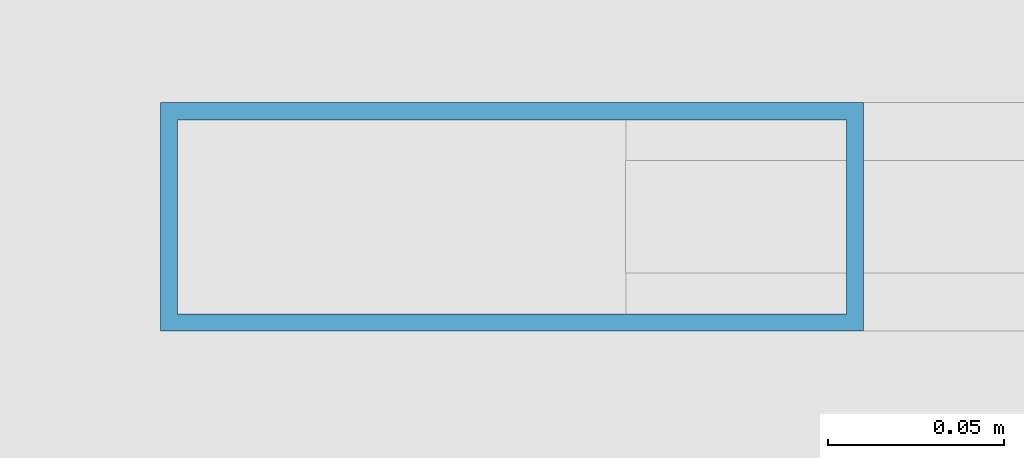
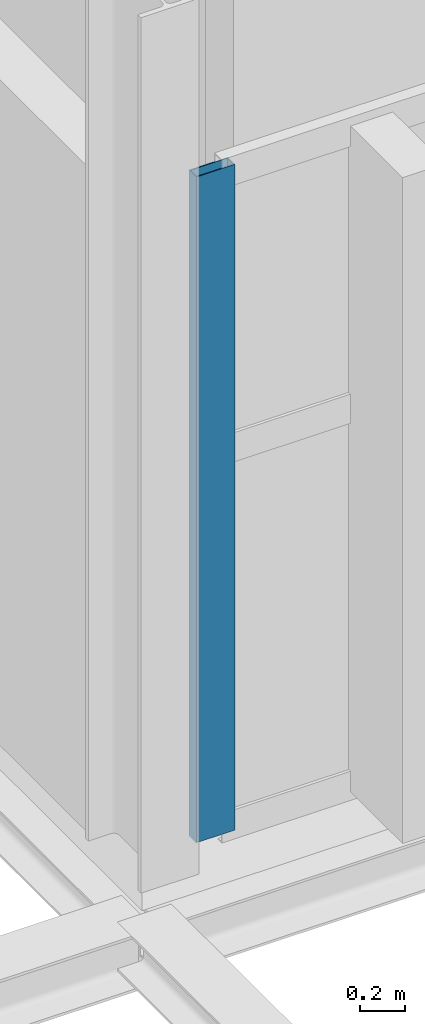
# One storey, part 22 of 196: 1 member, 1 element without a shape of its own.
"""IFC4 building model written with IfcOpenShell, lengths in metres."""

import ifcopenshell
import ifcopenshell.guid

model = None  # the IFC model being written
_history = None  # IfcOwnerHistory: only IFC2X3 demands one
_inside = {}  # id of a spatial element -> (the spatial element, [elements in it])
_under = {}  # id of a project, library or spatial element -> (it, [spatial elements below it])
_declared = {}  # id of a project -> (the project, [libraries it declares])
_typed = {}  # id of a type object -> (the type object, [elements of that type])
_made_of = {}  # id of a material, layer set ... -> (it, [elements and type objects made of it])


def new_model(schema):
    """Start an empty IFC model of exactly this schema.

    Asked for "IFC4X3", IfcOpenShell would pick the latest addendum, in which some entities
    have other attributes; the version numbers below select the first issue.
    IFC2X3 requires an IfcOwnerHistory on every rooted entity: one is made here for all.
    """
    global model, _history
    if schema == "IFC4X3":
        model = ifcopenshell.file(schema_version=(4, 3, 0, 0))
    else:
        model = ifcopenshell.file(schema=schema)
    _inside.clear()
    _under.clear()
    _declared.clear()
    _typed.clear()
    _made_of.clear()
    _history = None
    if model.schema == "IFC2X3":
        org = make("IfcOrganization", Name="unknown")
        user = make(
            "IfcPersonAndOrganization",
            ThePerson=make("IfcPerson", FamilyName="unknown"),
            TheOrganization=org,
        )
        app = make(
            "IfcApplication",
            ApplicationDeveloper=org,
            Version="unknown",
            ApplicationFullName="unknown",
            ApplicationIdentifier="unknown",
        )
        _history = make(
            "IfcOwnerHistory",
            OwningUser=user,
            OwningApplication=app,
            ChangeAction="ADDED",
            CreationDate=0,
        )
    return model


def make(cls, **values):
    """One entity of the class cls with the attributes given. An attribute that is None is left unset."""
    return model.create_entity(
        cls, **{name: value for name, value in values.items() if value is not None}
    )


def rooted(cls, **values):
    """An entity with a GlobalId (a new one), such as an element, a storey or a relation."""
    return make(cls, GlobalId=ifcopenshell.guid.new(), OwnerHistory=_history, **values)


def si_unit(unit_type, name, prefix=None):
    """IfcSIUnit, for example si_unit("LENGTHUNIT", "METRE", prefix="MILLI")."""
    return make("IfcSIUnit", UnitType=unit_type, Prefix=prefix, Name=name)


def assignment(units):
    """IfcUnitAssignment: the units of a project."""
    return None if units is None else make("IfcUnitAssignment", Units=units)


def point(xyz):
    """IfcCartesianPoint."""
    return None if xyz is None else make("IfcCartesianPoint", Coordinates=xyz)


def direction(xyz):
    """IfcDirection."""
    return None if xyz is None else make("IfcDirection", DirectionRatios=xyz)


def frame(location, z_axis=None, x_axis=None):
    """IfcAxis2Placement3D, a coordinate frame: its origin and axes. An axis left out is left unset."""
    return make(
        "IfcAxis2Placement3D",
        Location=point(location),
        Axis=direction(z_axis),
        RefDirection=direction(x_axis),
    )


def frame_2d(location, x_axis=None):
    """IfcAxis2Placement2D, a coordinate frame in the plane: its origin and x axis."""
    return make(
        "IfcAxis2Placement2D", Location=point(location), RefDirection=direction(x_axis)
    )


def origin():
    """The frame at (0, 0, 0) with its axes left unset."""
    return frame((0.0, 0.0, 0.0))


def origin_2d():
    """The frame at (0, 0) in the plane with its x axis left unset."""
    return frame_2d((0.0, 0.0))


def place(relative_to, where):
    """IfcLocalPlacement: puts the frame where relative to a parent placement (None: the world)."""
    return make(
        "IfcLocalPlacement", PlacementRelTo=relative_to, RelativePlacement=where
    )


def context(
    kind, dimensions, precision=None, world=None, true_north=None, identifier=None
):
    """IfcGeometricRepresentationContext, for example the 3D "Model" context."""
    return make(
        "IfcGeometricRepresentationContext",
        ContextIdentifier=identifier,
        ContextType=kind,
        CoordinateSpaceDimension=dimensions,
        Precision=precision,
        WorldCoordinateSystem=world,
        TrueNorth=true_north,
    )


def subcontext(parent, identifier, kind, view, scale=None):
    """IfcGeometricRepresentationSubContext, for example "Body" below "Model"."""
    return make(
        "IfcGeometricRepresentationSubContext",
        ContextIdentifier=identifier,
        ContextType=kind,
        ParentContext=parent,
        TargetScale=scale,
        TargetView=view,
    )


def project(units=None, contexts=None):
    """IfcProject with its units and contexts."""
    return rooted(
        "IfcProject",
        Name="project",
        RepresentationContexts=contexts,
        UnitsInContext=assignment(units),
    )


def spatial(cls, under=None, at=None, **own):
    """A site, building, storey or space (cls), placed at a placement, below another one or the project."""
    s = rooted(cls, ObjectPlacement=at, **own)
    if under is not None:
        _under.setdefault(under.id(), (under, []))[1].append(s)
    return s


def profile(cls, at=None, kind="AREA", **sizes):
    """A parametric profile (cls). Its sizes go by their IFC names, for example OverallWidth=200.0."""
    return make(cls, ProfileType=kind, Position=at, **sizes)


def hollow_rectangle(**sizes):
    """IfcRectangleHollowProfileDef."""
    return profile("IfcRectangleHollowProfileDef", **sizes)


def extrude(swept, where, along, depth):
    """IfcExtrudedAreaSolid: the profile swept, set in the frame where, extruded along a direction by depth."""
    return make(
        "IfcExtrudedAreaSolid",
        SweptArea=swept,
        Position=where,
        ExtrudedDirection=direction(along),
        Depth=depth,
    )


def shape(context_of_items, identifier, shape_type, items):
    """IfcShapeRepresentation: the items that make up one representation, for example the "Body"."""
    return make(
        "IfcShapeRepresentation",
        ContextOfItems=context_of_items,
        RepresentationIdentifier=identifier,
        RepresentationType=shape_type,
        Items=items,
    )


def material(Name=None, Category=None):
    """IfcMaterial."""
    return make("IfcMaterial", Name=Name, Category=Category)


def layer(
    of_material, thickness, ventilated=None, Name=None, Category=None, Priority=None
):
    """IfcMaterialLayer: one layer of a wall or slab, of a material (None: an air gap)."""
    return make(
        "IfcMaterialLayer",
        Material=of_material,
        LayerThickness=thickness,
        IsVentilated=ventilated,
        Name=Name,
        Category=Category,
        Priority=Priority,
    )


def layer_set(layers, Name=None):
    """IfcMaterialLayerSet."""
    return make("IfcMaterialLayerSet", MaterialLayers=layers, LayerSetName=Name)


def material_profile(
    of_material, cross_section, Name=None, Category=None, Priority=None
):
    """IfcMaterialProfile: a cross section and its material."""
    return make(
        "IfcMaterialProfile",
        Name=Name,
        Material=of_material,
        Profile=cross_section,
        Priority=Priority,
        Category=Category,
    )


def profile_set(profiles, Name=None, composite=None):
    """IfcMaterialProfileSet."""
    return make(
        "IfcMaterialProfileSet",
        Name=Name,
        MaterialProfiles=profiles,
        CompositeProfile=composite,
    )


def made_of(thing, what):
    """Note that an element or type object is made of a material, layer set ...; save() writes the relation."""
    if what is not None:
        _made_of.setdefault(what.id(), (what, []))[1].append(thing)
    return thing


def type_object(cls, material=None, **own):
    """A type object (cls), such as IfcWallType, which elements share."""
    return made_of(rooted(cls, **own), material)


def element(
    cls,
    number,
    at=None,
    inside=None,
    cuts=None,
    type_object=None,
    material=None,
    context=None,
    identifier="Body",
    shape_type=None,
    held_by="IfcProductDefinitionShape",
    body=None,
    shapes=None,
    **own,
):
    """One element of the class cls, such as IfcWall. Its Tag is "e" and its number.

    at: its placement. inside: the storey or other place that contains it. cuts: it is an
    opening in that element (IfcRelVoidsElement). A single representation is given by context,
    identifier, shape_type and body (its items); several are given by shapes. held_by: the class
    of the entity that holds the representations. save() writes the other relations.
    """
    e = rooted(cls, Tag="e%d" % number, ObjectPlacement=at, **own)
    if body is not None:
        shapes = [shape(context, identifier, shape_type, body)]
    if shapes is not None:
        e.Representation = make(held_by, Representations=shapes)
    if inside is not None:
        _inside.setdefault(inside.id(), (inside, []))[1].append(e)
    if cuts is not None:
        rooted(
            "IfcRelVoidsElement", RelatingBuildingElement=cuts, RelatedOpeningElement=e
        )
    if type_object is not None:
        _typed.setdefault(type_object.id(), (type_object, []))[1].append(e)
    return made_of(e, material)


def aggregate(whole, parts):
    """IfcRelAggregates: a whole, such as a stair, and the parts it consists of."""
    return rooted("IfcRelAggregates", RelatingObject=whole, RelatedObjects=parts)


def save(model, path):
    """Write the relations noted so far, then the file.

    IfcRelAggregates (storeys below a building ...), IfcRelContainedInSpatialStructure (elements
    in a storey), IfcRelDefinesByType, IfcRelAssociatesMaterial and IfcRelDeclares: one each for
    every whole, place, type object, material and project.
    """
    for whole, parts in _under.values():
        aggregate(whole, parts)
    for where, things in _inside.values():
        rooted(
            "IfcRelContainedInSpatialStructure",
            RelatedElements=things,
            RelatingStructure=where,
        )
    for kind, things in _typed.values():
        rooted("IfcRelDefinesByType", RelatedObjects=things, RelatingType=kind)
    for what, things in _made_of.values():
        rooted("IfcRelAssociatesMaterial", RelatedObjects=things, RelatingMaterial=what)
    for by, libraries in _declared.values():
        rooted("IfcRelDeclares", RelatingContext=by, RelatedDefinitions=libraries)
    model.write(path)


model = new_model("IFC4")

# Units and contexts
model_context = context("Model", 3, precision=1e-05, world=origin(), true_north=direction((0.0, 1.0)))
body_context = subcontext(model_context, "Body", "Model", "MODEL_VIEW")
ifc_project = project(units=[si_unit("LENGTHUNIT", "METRE"), si_unit("AREAUNIT", "SQUARE_METRE"), si_unit("VOLUMEUNIT", "CUBIC_METRE"), si_unit("PLANEANGLEUNIT", "RADIAN"), si_unit("MASSUNIT", "GRAM", prefix="KILO")], contexts=[model_context])

# Site, building, storey
site_placement = place(None, origin())
site = spatial("IfcSite", under=ifc_project, at=site_placement, CompositionType="ELEMENT")
building_placement = place(site_placement, origin())
building = spatial("IfcBuilding", under=site, at=building_placement, Name="Barlavento Convention Centre", CompositionType="ELEMENT")
storey_placement = place(building_placement, frame((0.0, 0.0, 18.0)))
storey = spatial("IfcBuildingStorey", under=building, at=storey_placement, Name="L03", CompositionType="ELEMENT", Elevation=18.0)

# Curtain wall, member
ifc_material_1 = material(Name="Powder-coated aluminium and Low-E glass", Category="aluminium")
ifc_layer = layer(ifc_material_1, 0.179931640625)
ifc_layer_set = layer_set([ifc_layer], Name="ARC-CW-CONF-L03")
curtain_wall_type = type_object("IfcCurtainWallType", Name="ARC-CW-CONF-L03", PredefinedType="NOTDEFINED", material=ifc_layer_set)
curtain_wall_placement = place(storey_placement, origin())
curtain_wall = element("IfcCurtainWall", 1, at=curtain_wall_placement, inside=storey, type_object=curtain_wall_type, Name="L03 unitised curtain wall CW08", PredefinedType="NOTDEFINED")
ifc_material_2 = material(Name="Powder-coated aluminium", Category="aluminium")
ifc_material_profile = material_profile(ifc_material_2, hollow_rectangle(XDim=0.06494140625, YDim=0.199951171875, WallThickness=0.0048828125, at=origin_2d()), Name="AL-MULL 65x200x5")
ifc_profile_set = profile_set([ifc_material_profile], Name="Powder-coated aluminium")
member_type = type_object("IfcMemberType", Name="ARC-CWM-65X200", PredefinedType="MULLION", material=ifc_profile_set)
member_placement = place(storey_placement, frame((63.362548828125, 45.0, 0.0), z_axis=(0.0, 0.0, 1.0), x_axis=(0.0, 1.0, 0.0)))
member = element("IfcMember", 2, at=member_placement, type_object=member_type, Name="CW08 mullion 1", PredefinedType="MULLION", context=body_context, shape_type="SweptSolid", body=[
    extrude(hollow_rectangle(XDim=0.06494140625, YDim=0.199951171875, WallThickness=0.0048828125, at=origin_2d()), origin(), (0.0, 0.0, 1.0), 3.64990234375),
])
aggregate(curtain_wall, [member])

save(model, "model.ifc")
